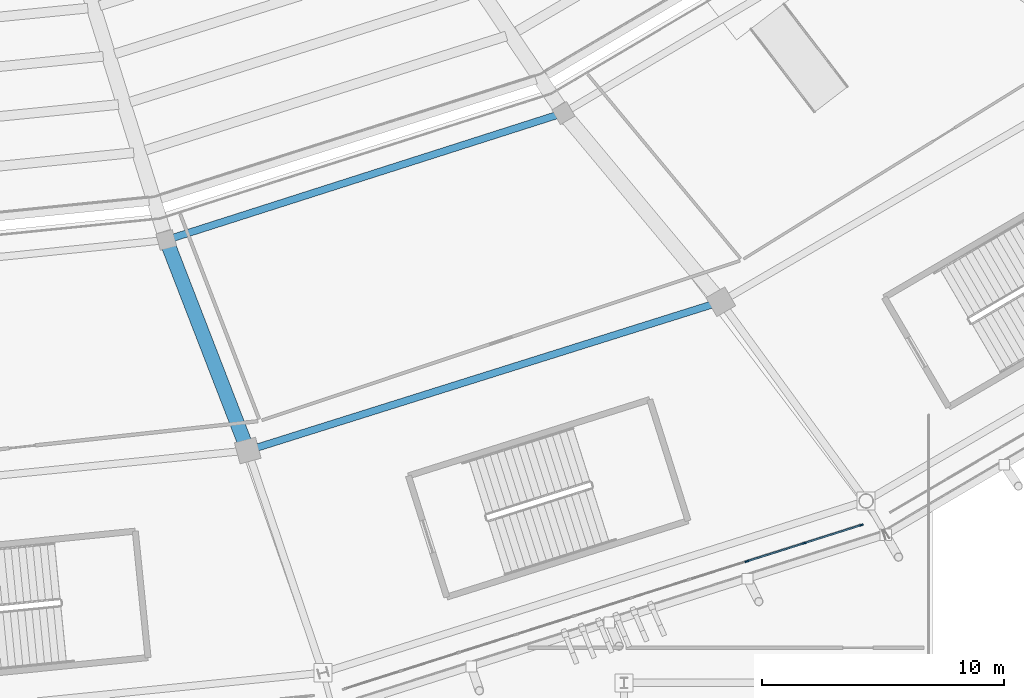
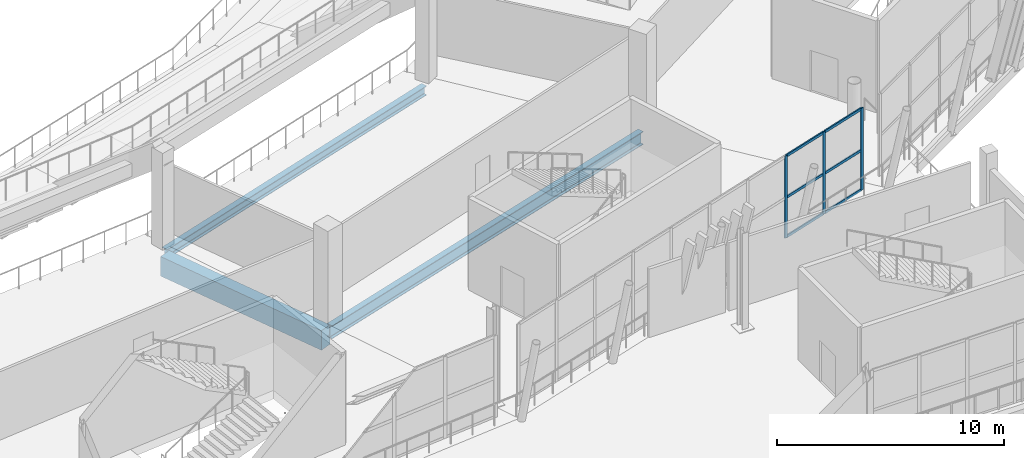
# One storey, part 51 of 178: 9 members, 3 beams, 1 element without a shape of its own.
"""IFC4 building model written with IfcOpenShell, lengths in metres."""

import ifcopenshell
import ifcopenshell.guid

model = None  # the IFC model being written
_history = None  # IfcOwnerHistory: only IFC2X3 demands one
_inside = {}  # id of a spatial element -> (the spatial element, [elements in it])
_under = {}  # id of a project, library or spatial element -> (it, [spatial elements below it])
_declared = {}  # id of a project -> (the project, [libraries it declares])
_typed = {}  # id of a type object -> (the type object, [elements of that type])
_made_of = {}  # id of a material, layer set ... -> (it, [elements and type objects made of it])


def new_model(schema):
    """Start an empty IFC model of exactly this schema.

    Asked for "IFC4X3", IfcOpenShell would pick the latest addendum, in which some entities
    have other attributes; the version numbers below select the first issue.
    IFC2X3 requires an IfcOwnerHistory on every rooted entity: one is made here for all.
    """
    global model, _history
    if schema == "IFC4X3":
        model = ifcopenshell.file(schema_version=(4, 3, 0, 0))
    else:
        model = ifcopenshell.file(schema=schema)
    _inside.clear()
    _under.clear()
    _declared.clear()
    _typed.clear()
    _made_of.clear()
    _history = None
    if model.schema == "IFC2X3":
        org = make("IfcOrganization", Name="unknown")
        user = make(
            "IfcPersonAndOrganization",
            ThePerson=make("IfcPerson", FamilyName="unknown"),
            TheOrganization=org,
        )
        app = make(
            "IfcApplication",
            ApplicationDeveloper=org,
            Version="unknown",
            ApplicationFullName="unknown",
            ApplicationIdentifier="unknown",
        )
        _history = make(
            "IfcOwnerHistory",
            OwningUser=user,
            OwningApplication=app,
            ChangeAction="ADDED",
            CreationDate=0,
        )
    return model


def make(cls, **values):
    """One entity of the class cls with the attributes given. An attribute that is None is left unset."""
    return model.create_entity(
        cls, **{name: value for name, value in values.items() if value is not None}
    )


def rooted(cls, **values):
    """An entity with a GlobalId (a new one), such as an element, a storey or a relation."""
    return make(cls, GlobalId=ifcopenshell.guid.new(), OwnerHistory=_history, **values)


def si_unit(unit_type, name, prefix=None):
    """IfcSIUnit, for example si_unit("LENGTHUNIT", "METRE", prefix="MILLI")."""
    return make("IfcSIUnit", UnitType=unit_type, Prefix=prefix, Name=name)


def assignment(units):
    """IfcUnitAssignment: the units of a project."""
    return None if units is None else make("IfcUnitAssignment", Units=units)


def point(xyz):
    """IfcCartesianPoint."""
    return None if xyz is None else make("IfcCartesianPoint", Coordinates=xyz)


def direction(xyz):
    """IfcDirection."""
    return None if xyz is None else make("IfcDirection", DirectionRatios=xyz)


def frame(location, z_axis=None, x_axis=None):
    """IfcAxis2Placement3D, a coordinate frame: its origin and axes. An axis left out is left unset."""
    return make(
        "IfcAxis2Placement3D",
        Location=point(location),
        Axis=direction(z_axis),
        RefDirection=direction(x_axis),
    )


def frame_2d(location, x_axis=None):
    """IfcAxis2Placement2D, a coordinate frame in the plane: its origin and x axis."""
    return make(
        "IfcAxis2Placement2D", Location=point(location), RefDirection=direction(x_axis)
    )


def origin():
    """The frame at (0, 0, 0) with its axes left unset."""
    return frame((0.0, 0.0, 0.0))


def origin_2d():
    """The frame at (0, 0) in the plane with its x axis left unset."""
    return frame_2d((0.0, 0.0))


def place(relative_to, where):
    """IfcLocalPlacement: puts the frame where relative to a parent placement (None: the world)."""
    return make(
        "IfcLocalPlacement", PlacementRelTo=relative_to, RelativePlacement=where
    )


def context(
    kind, dimensions, precision=None, world=None, true_north=None, identifier=None
):
    """IfcGeometricRepresentationContext, for example the 3D "Model" context."""
    return make(
        "IfcGeometricRepresentationContext",
        ContextIdentifier=identifier,
        ContextType=kind,
        CoordinateSpaceDimension=dimensions,
        Precision=precision,
        WorldCoordinateSystem=world,
        TrueNorth=true_north,
    )


def subcontext(parent, identifier, kind, view, scale=None):
    """IfcGeometricRepresentationSubContext, for example "Body" below "Model"."""
    return make(
        "IfcGeometricRepresentationSubContext",
        ContextIdentifier=identifier,
        ContextType=kind,
        ParentContext=parent,
        TargetScale=scale,
        TargetView=view,
    )


def project(units=None, contexts=None):
    """IfcProject with its units and contexts."""
    return rooted(
        "IfcProject",
        Name="project",
        RepresentationContexts=contexts,
        UnitsInContext=assignment(units),
    )


def spatial(cls, under=None, at=None, **own):
    """A site, building, storey or space (cls), placed at a placement, below another one or the project."""
    s = rooted(cls, ObjectPlacement=at, **own)
    if under is not None:
        _under.setdefault(under.id(), (under, []))[1].append(s)
    return s


def profile(cls, at=None, kind="AREA", **sizes):
    """A parametric profile (cls). Its sizes go by their IFC names, for example OverallWidth=200.0."""
    return make(cls, ProfileType=kind, Position=at, **sizes)


def rectangle(**sizes):
    """IfcRectangleProfileDef."""
    return profile("IfcRectangleProfileDef", **sizes)


def i_section(**sizes):
    """IfcIShapeProfileDef."""
    return profile("IfcIShapeProfileDef", **sizes)


def extrude(swept, where, along, depth):
    """IfcExtrudedAreaSolid: the profile swept, set in the frame where, extruded along a direction by depth."""
    return make(
        "IfcExtrudedAreaSolid",
        SweptArea=swept,
        Position=where,
        ExtrudedDirection=direction(along),
        Depth=depth,
    )


def shape(context_of_items, identifier, shape_type, items):
    """IfcShapeRepresentation: the items that make up one representation, for example the "Body"."""
    return make(
        "IfcShapeRepresentation",
        ContextOfItems=context_of_items,
        RepresentationIdentifier=identifier,
        RepresentationType=shape_type,
        Items=items,
    )


def material(Name=None, Category=None):
    """IfcMaterial."""
    return make("IfcMaterial", Name=Name, Category=Category)


def material_profile(
    of_material, cross_section, Name=None, Category=None, Priority=None
):
    """IfcMaterialProfile: a cross section and its material."""
    return make(
        "IfcMaterialProfile",
        Name=Name,
        Material=of_material,
        Profile=cross_section,
        Priority=Priority,
        Category=Category,
    )


def profile_set(profiles, Name=None, composite=None):
    """IfcMaterialProfileSet."""
    return make(
        "IfcMaterialProfileSet",
        Name=Name,
        MaterialProfiles=profiles,
        CompositeProfile=composite,
    )


def made_of(thing, what):
    """Note that an element or type object is made of a material, layer set ...; save() writes the relation."""
    if what is not None:
        _made_of.setdefault(what.id(), (what, []))[1].append(thing)
    return thing


def type_object(cls, material=None, **own):
    """A type object (cls), such as IfcWallType, which elements share."""
    return made_of(rooted(cls, **own), material)


def element(
    cls,
    number,
    at=None,
    inside=None,
    cuts=None,
    type_object=None,
    material=None,
    context=None,
    identifier="Body",
    shape_type=None,
    held_by="IfcProductDefinitionShape",
    body=None,
    shapes=None,
    **own,
):
    """One element of the class cls, such as IfcWall. Its Tag is "e" and its number.

    at: its placement. inside: the storey or other place that contains it. cuts: it is an
    opening in that element (IfcRelVoidsElement). A single representation is given by context,
    identifier, shape_type and body (its items); several are given by shapes. held_by: the class
    of the entity that holds the representations. save() writes the other relations.
    """
    e = rooted(cls, Tag="e%d" % number, ObjectPlacement=at, **own)
    if body is not None:
        shapes = [shape(context, identifier, shape_type, body)]
    if shapes is not None:
        e.Representation = make(held_by, Representations=shapes)
    if inside is not None:
        _inside.setdefault(inside.id(), (inside, []))[1].append(e)
    if cuts is not None:
        rooted(
            "IfcRelVoidsElement", RelatingBuildingElement=cuts, RelatedOpeningElement=e
        )
    if type_object is not None:
        _typed.setdefault(type_object.id(), (type_object, []))[1].append(e)
    return made_of(e, material)


def aggregate(whole, parts):
    """IfcRelAggregates: a whole, such as a stair, and the parts it consists of."""
    return rooted("IfcRelAggregates", RelatingObject=whole, RelatedObjects=parts)


def save(model, path):
    """Write the relations noted so far, then the file.

    IfcRelAggregates (storeys below a building ...), IfcRelContainedInSpatialStructure (elements
    in a storey), IfcRelDefinesByType, IfcRelAssociatesMaterial and IfcRelDeclares: one each for
    every whole, place, type object, material and project.
    """
    for whole, parts in _under.values():
        aggregate(whole, parts)
    for where, things in _inside.values():
        rooted(
            "IfcRelContainedInSpatialStructure",
            RelatedElements=things,
            RelatingStructure=where,
        )
    for kind, things in _typed.values():
        rooted("IfcRelDefinesByType", RelatedObjects=things, RelatingType=kind)
    for what, things in _made_of.values():
        rooted("IfcRelAssociatesMaterial", RelatedObjects=things, RelatingMaterial=what)
    for by, libraries in _declared.values():
        rooted("IfcRelDeclares", RelatingContext=by, RelatedDefinitions=libraries)
    model.write(path)


model = new_model("IFC4")

# Units and contexts
model_context = context("Model", 3, precision=1e-05, world=origin(), true_north=direction((0.0, 1.0)))
body_context = subcontext(model_context, "Body", "Model", "MODEL_VIEW")
ifc_project = project(units=[si_unit("LENGTHUNIT", "METRE"), si_unit("AREAUNIT", "SQUARE_METRE"), si_unit("VOLUMEUNIT", "CUBIC_METRE"), si_unit("PLANEANGLEUNIT", "RADIAN"), si_unit("MASSUNIT", "GRAM", prefix="KILO")], contexts=[model_context])

# Site, building, storey
site_placement = place(None, origin())
site = spatial("IfcSite", under=ifc_project, at=site_placement, CompositionType="ELEMENT")
building_placement = place(site_placement, origin())
building = spatial("IfcBuilding", under=site, at=building_placement, Name="Zlatoyarsky Gate Stadium", CompositionType="ELEMENT")
storey_placement = place(building_placement, frame((0.0, 0.0, 5.39990234375)))
storey = spatial("IfcBuildingStorey", under=building, at=storey_placement, Name="L01", CompositionType="ELEMENT", Elevation=5.39990234375)

# Curtain wall, members
ifc_material_1 = material(Name="Thermally broken anodised aluminium curtain wall", Category="aluminium")
curtain_wall_type = type_object("IfcCurtainWallType", Name="UNITISED HOSPITALITY GLAZING L01", PredefinedType="USERDEFINED", material=ifc_material_1)
curtain_wall_placement = place(storey_placement, origin())
curtain_wall = element("IfcCurtainWall", 1, at=curtain_wall_placement, inside=storey, type_object=curtain_wall_type, Name="Curtain wall CW-L01-19", ObjectType="UNITISED GLAZING", PredefinedType="USERDEFINED")
ifc_material_2 = material(Name="Anodised aluminium 6063-T6", Category="aluminium")
ifc_material_profile_1 = material_profile(ifc_material_2, rectangle(XDim=0.06494140625, YDim=0.159912109375, at=origin_2d()), Name="ALU 65X160")
ifc_profile_set_1 = profile_set([ifc_material_profile_1], Name="Anodised aluminium 6063-T6")
member_type_1 = type_object("IfcMemberType", Name="ALUMINIUM MULLION 65X160", PredefinedType="MULLION", material=ifc_profile_set_1)
member_1_placement = place(storey_placement, frame((152.576904296875, 16.019775390625, 0.0), z_axis=(0.0, 0.0, 1.0), x_axis=(-0.302333944964, 0.953202069722, 0.0)))
member_1 = element("IfcMember", 2, at=member_1_placement, type_object=member_type_1, Name="CW-UG1 mullion 8", PredefinedType="MULLION", context=body_context, shape_type="SweptSolid", body=[
    extrude(rectangle(XDim=0.06494140625, YDim=0.159912109375, at=origin_2d()), origin(), (0.0, 0.0, 1.0), 4.400146484375),
])
member_2_placement = place(storey_placement, frame((154.955810546875, 16.7744140625, 0.0), z_axis=(0.0, 0.0, 1.0), x_axis=(-0.302333944964, 0.953202069722, 0.0)))
member_2 = element("IfcMember", 3, at=member_2_placement, type_object=member_type_1, Name="CW-UG1 mullion 9", PredefinedType="MULLION", context=body_context, shape_type="SweptSolid", body=[
    extrude(rectangle(XDim=0.06494140625, YDim=0.159912109375, at=origin_2d()), origin(), (0.0, 0.0, 1.0), 4.400146484375),
])
member_3_placement = place(storey_placement, frame((157.3037109375, 17.51904296875, 0.0), z_axis=(0.0, 0.0, 1.0), x_axis=(-0.302333944964, 0.953202069722, 0.0)))
member_3 = element("IfcMember", 4, at=member_3_placement, type_object=member_type_1, Name="CW-UG1 mullion 10", PredefinedType="MULLION", context=body_context, shape_type="SweptSolid", body=[
    extrude(rectangle(XDim=0.06494140625, YDim=0.159912109375, at=origin_2d()), origin(), (0.0, 0.0, 1.0), 4.400146484375),
])
ifc_material_profile_2 = material_profile(ifc_material_2, rectangle(XDim=0.06494140625, YDim=0.139892578125, at=origin_2d()), Name="ALU 65X140")
ifc_profile_set_2 = profile_set([ifc_material_profile_2], Name="Anodised aluminium 6063-T6")
member_type_2 = type_object("IfcMemberType", Name="ALUMINIUM TRANSOM 65X140", PredefinedType="USERDEFINED", material=ifc_profile_set_2)
member_4_placement = place(storey_placement, frame((152.60791015625, 16.02978515625, 0.03271484375), z_axis=(0.953202400963, 0.302332900622, 0.0), x_axis=(-0.302332900622, 0.953202400963, 0.0)))
member_4 = element("IfcMember", 5, at=member_4_placement, type_object=member_type_2, Name="CW-UG1 transom 8.1", ObjectType="TRANSOM", PredefinedType="USERDEFINED", context=body_context, shape_type="SweptSolid", body=[
    extrude(rectangle(XDim=0.06494140625, YDim=0.139892578125, at=origin_2d()), origin(), (0.0, 0.0, 1.0), 2.4306640625),
])
member_5_placement = place(storey_placement, frame((152.60791015625, 16.02978515625, 2.150146484375), z_axis=(0.953202400963, 0.302332900622, 0.0), x_axis=(-0.302332900622, 0.953202400963, 0.0)))
member_5 = element("IfcMember", 6, at=member_5_placement, type_object=member_type_2, Name="CW-UG1 transom 8.2", ObjectType="TRANSOM", PredefinedType="USERDEFINED", context=body_context, shape_type="SweptSolid", body=[
    extrude(rectangle(XDim=0.06494140625, YDim=0.139892578125, at=origin_2d()), origin(), (0.0, 0.0, 1.0), 2.4306640625),
])
member_6_placement = place(storey_placement, frame((152.60791015625, 16.02978515625, 4.36767578125), z_axis=(0.953202400963, 0.302332900622, 0.0), x_axis=(-0.302332900622, 0.953202400963, 0.0)))
member_6 = element("IfcMember", 7, at=member_6_placement, type_object=member_type_2, Name="CW-UG1 transom 8.3", ObjectType="TRANSOM", PredefinedType="USERDEFINED", context=body_context, shape_type="SweptSolid", body=[
    extrude(rectangle(XDim=0.06494140625, YDim=0.139892578125, at=origin_2d()), origin(), (0.0, 0.0, 1.0), 2.4306640625),
])
member_7_placement = place(storey_placement, frame((154.98681640625, 16.7841796875, 0.03271484375), z_axis=(0.953194146276, 0.302358924964, 0.0), x_axis=(-0.302358924964, 0.953194146276, 0.0)))
member_7 = element("IfcMember", 8, at=member_7_placement, type_object=member_type_2, Name="CW-UG1 transom 9.1", ObjectType="TRANSOM", PredefinedType="USERDEFINED", context=body_context, shape_type="SweptSolid", body=[
    extrude(rectangle(XDim=0.06494140625, YDim=0.139892578125, at=origin_2d()), origin(), (0.0, 0.0, 1.0), 2.398193359375),
])
member_8_placement = place(storey_placement, frame((154.98681640625, 16.7841796875, 2.150146484375), z_axis=(0.953194146276, 0.302358924964, 0.0), x_axis=(-0.302358924964, 0.953194146276, 0.0)))
member_8 = element("IfcMember", 9, at=member_8_placement, type_object=member_type_2, Name="CW-UG1 transom 9.2", ObjectType="TRANSOM", PredefinedType="USERDEFINED", context=body_context, shape_type="SweptSolid", body=[
    extrude(rectangle(XDim=0.06494140625, YDim=0.139892578125, at=origin_2d()), origin(), (0.0, 0.0, 1.0), 2.398193359375),
])
member_9_placement = place(storey_placement, frame((154.98681640625, 16.7841796875, 4.36767578125), z_axis=(0.953194146276, 0.302358924964, 0.0), x_axis=(-0.302358924964, 0.953194146276, 0.0)))
member_9 = element("IfcMember", 10, at=member_9_placement, type_object=member_type_2, Name="CW-UG1 transom 9.3", ObjectType="TRANSOM", PredefinedType="USERDEFINED", context=body_context, shape_type="SweptSolid", body=[
    extrude(rectangle(XDim=0.06494140625, YDim=0.139892578125, at=origin_2d()), origin(), (0.0, 0.0, 1.0), 2.398193359375),
])
aggregate(curtain_wall, [member_1, member_2, member_3, member_4, member_5, member_6, member_7, member_8, member_9])

# Beams
ifc_material_3 = material(Name="Concrete C40/50", Category="concrete")
ifc_material_profile_3 = material_profile(ifc_material_3, rectangle(XDim=0.60009765625, YDim=1.050048828125, at=origin_2d()), Name="RC GIRDER 600X1050")
ifc_profile_set_3 = profile_set([ifc_material_profile_3], Name="Concrete C40/50")
beam_type_1 = type_object("IfcBeamType", Name="CONCRETE PRIMARY GIRDER 600X1050", PredefinedType="T_BEAM", material=ifc_profile_set_3)
beam_1_placement = place(storey_placement, frame((128.64306640625, 29.177001953125, -0.98486328125), z_axis=(0.36092924223, -0.932593202904, 0.0), x_axis=(0.932593202904, 0.36092924223, 0.0)))
element("IfcBeam", 11, at=beam_1_placement, inside=storey, type_object=beam_type_1, Name="Beam G-RC105 BM-L01-RAB-19", PredefinedType="T_BEAM", context=body_context, shape_type="SweptSolid", body=[
    extrude(rectangle(XDim=0.60009765625, YDim=1.050048828125, at=origin_2d()), origin(), (0.0, 0.0, 1.0), 9.08154296875),
])
ifc_material_4 = material(Name="Steel S355", Category="steel")
ifc_material_profile_4 = material_profile(ifc_material_4, i_section(OverallWidth=0.300048828125, OverallDepth=0.5, WebThickness=0.014404296875, FlangeThickness=0.028076171875, FilletRadius=0.027099609375, at=origin_2d()), Name="HEB 500")
ifc_profile_set_4 = profile_set([ifc_material_profile_4], Name="Steel S355")
beam_type_2 = type_object("IfcBeamType", Name="STEEL PRIMARY GIRDER HEB 500", PredefinedType="BEAM", material=ifc_profile_set_4)
beam_2_placement = place(storey_placement, frame((128.714111328125, 29.325439453125, -0.5498046875), z_axis=(0.952480396568, 0.304599891914, 0.0), x_axis=(-0.304599891914, 0.952480396568, 0.0)))
element("IfcBeam", 12, at=beam_2_placement, inside=storey, type_object=beam_type_2, Name="Beam G-HEB500 BM-L01-CRA-19", PredefinedType="BEAM", context=body_context, shape_type="SweptSolid", body=[
    extrude(i_section(OverallWidth=0.300048828125, OverallDepth=0.5, WebThickness=0.014404296875, FlangeThickness=0.028076171875, FilletRadius=0.027099609375, at=origin_2d()), origin(), (0.0, 0.0, 1.0), 16.978515625),
])
ifc_material_profile_5 = material_profile(ifc_material_4, i_section(OverallWidth=0.300048828125, OverallDepth=0.699951171875, WebThickness=0.01708984375, FlangeThickness=0.031982421875, FilletRadius=0.027099609375, at=origin_2d()), Name="HEB 700")
ifc_profile_set_5 = profile_set([ifc_material_profile_5], Name="Steel S355")
beam_type_3 = type_object("IfcBeamType", Name="STEEL PRIMARY GIRDER HEB 700", PredefinedType="BEAM", material=ifc_profile_set_5)
beam_3_placement = place(storey_placement, frame((132.078857421875, 20.631591796875, -0.64990234375), z_axis=(0.953937507984, 0.300005384719, 0.0), x_axis=(-0.300005384719, 0.953937507984, 0.0)))
element("IfcBeam", 13, at=beam_3_placement, inside=storey, type_object=beam_type_3, Name="Beam G-HEB700 BM-L01-CRB-19", PredefinedType="BEAM", context=body_context, shape_type="SweptSolid", body=[
    extrude(i_section(OverallWidth=0.300048828125, OverallDepth=0.699951171875, WebThickness=0.01708984375, FlangeThickness=0.031982421875, FilletRadius=0.027099609375, at=origin_2d()), origin(), (0.0, 0.0, 1.0), 20.239013671875),
])

save(model, "model.ifc")
